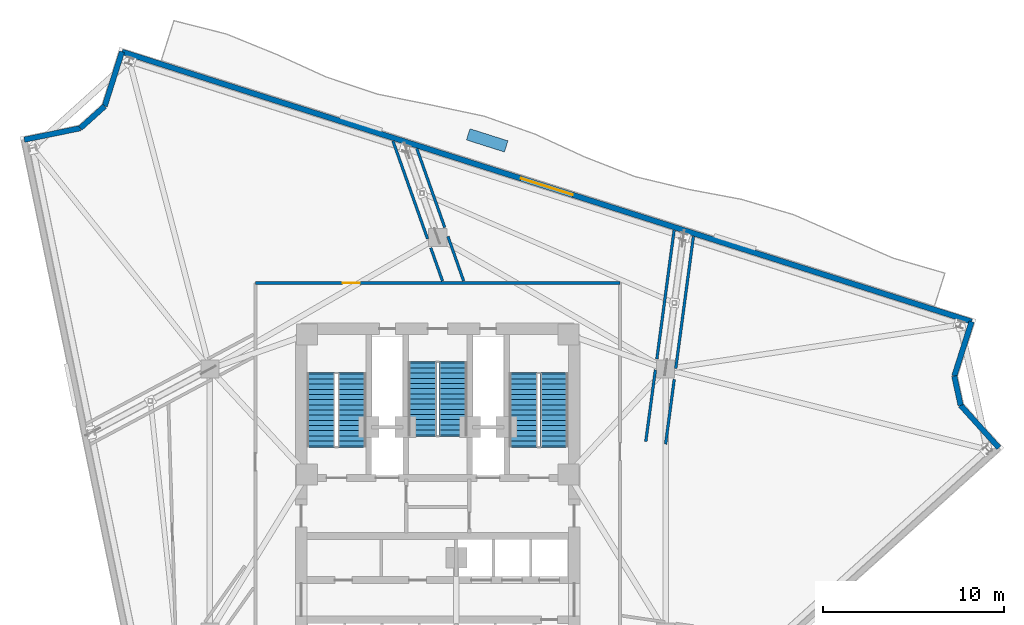
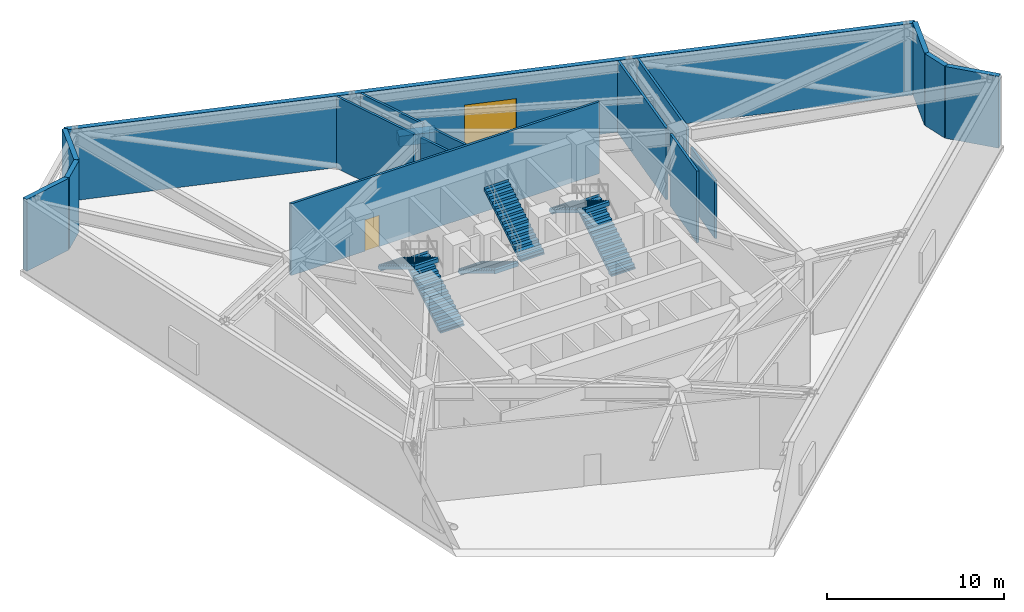
# One storey, part 13 of 16: 16 walls, 6 stair flights, 2 doors, 1 discrete accessory, 2 openings, 3 elements without a shape of their own.
"""IFC4 building model written with IfcOpenShell, lengths in metres."""

from ifc_helpers import new_model, si_unit, direction, frame, frame_2d, origin, origin_2d, place, context, subcontext, project, spatial, polyline, rectangle, outline, extrude, material, layer, layer_set, type_object, element, fill, aggregate, save


model = new_model("IFC4")

# Units and contexts
model_context = context("Model", 3, precision=1e-05, world=origin(), true_north=direction((0.0, 1.0)))
body_context = subcontext(model_context, "Body", "Model", "MODEL_VIEW")
ifc_project = project(units=[si_unit("LENGTHUNIT", "METRE"), si_unit("AREAUNIT", "SQUARE_METRE"), si_unit("VOLUMEUNIT", "CUBIC_METRE"), si_unit("PLANEANGLEUNIT", "RADIAN"), si_unit("MASSUNIT", "GRAM", prefix="KILO")], contexts=[model_context])

# Site, building, storey
site_placement = place(None, origin())
site = spatial("IfcSite", under=ifc_project, at=site_placement, CompositionType="ELEMENT")
building_placement = place(site_placement, origin())
building = spatial("IfcBuilding", under=site, at=building_placement, Name="Apsidion Concourse Tower", CompositionType="ELEMENT")
storey_placement = place(building_placement, frame((0.0, 0.0, 227.0)))
storey = spatial("IfcBuildingStorey", under=building, at=storey_placement, Name="L53", CompositionType="ELEMENT", Elevation=227.0)

# Wall, opening, door
ifc_material_1 = material(Name="Precast concrete C40/50", Category="concrete")
ifc_layer_1 = layer(ifc_material_1, 0.300048828125)
ifc_layer_set_1 = layer_set([ifc_layer_1], Name="Precast concrete C40/50")
wall_type_1 = type_object("IfcWallType", Name="WL-EXT-300", PredefinedType="STANDARD", material=ifc_layer_set_1)
wall_1_placement = place(storey_placement, frame((-17.4072265625, 24.74755859375, 0.0), z_axis=(0.0, 0.0, 1.0), x_axis=(0.953082756031, -0.302709861346, 0.0)))
wall_1 = element("IfcWall", 1, at=wall_1_placement, inside=storey, type_object=wall_type_1, Name="L53 Precast Stone Facade Wall 01", PredefinedType="STANDARD", context=body_context, shape_type="SweptSolid", body=[
    extrude(rectangle(XDim=49.14501953125, YDim=0.300048828125, at=frame_2d((24.572509765625, 0.0))), origin(), (0.0, 0.0, 1.0), 4.949951171875),
])
opening_1_placement = place(wall_1_placement, frame((23.072509765625, 0.0, 0.0)))
opening_1 = element("IfcOpeningElement", 2, at=opening_1_placement, cuts=wall_1, Name="Opening D-SG1", PredefinedType="OPENING", context=body_context, shape_type="SweptSolid", body=[
    extrude(rectangle(XDim=3.0, YDim=3.199951171875, at=frame_2d((1.5, 1.60009765625))), frame((0.0, 0.16015625, 0.0), z_axis=(0.0, -1.0, 0.0), x_axis=(1.0, 0.0, 0.0)), (0.0, 0.0, 1.0), 0.320068359375),
])
ifc_material_2 = material(Name="Brushed stainless steel 316", Category="steel")
door_type_1 = type_object("IfcDoorType", Name="DR-GATE-3032", OperationType="ROLLINGUP", PredefinedType="GATE", material=ifc_material_2)
door_1_placement = place(opening_1_placement, origin())
door_1 = element("IfcDoor", 3, at=door_1_placement, inside=storey, type_object=door_type_1, Name="L53 Plant Deck Access Gate 1", OperationType="ROLLINGUP", OverallHeight=3.199951171875, OverallWidth=3.0, PredefinedType="GATE", context=body_context, shape_type="SweptSolid", body=[
    extrude(rectangle(XDim=3.0, YDim=3.199951171875, at=frame_2d((1.5, 1.60009765625))), frame((0.0, 0.02490234375, 0.0), z_axis=(0.0, -1.0, 0.0), x_axis=(1.0, 0.0, 0.0)), (0.0, 0.0, 1.0), 0.050048828125),
])
fill(opening_1, door_1)

# Walls
wall_2_placement = place(storey_placement, frame((29.43212890625, 9.870849609375, 0.0), z_axis=(0.0, 0.0, 1.0), x_axis=(-0.30264059672, -0.953104752489, 0.0)))
element("IfcWall", 4, at=wall_2_placement, inside=storey, type_object=wall_type_1, Name="L53 Precast Stone Facade Wall 02", PredefinedType="STANDARD", context=body_context, shape_type="SweptSolid", body=[
    extrude(rectangle(XDim=3.150146484375, YDim=0.300048828125, at=frame_2d((1.5751953125, 0.0))), origin(), (0.0, 0.0, 1.0), 4.949951171875),
])
wall_3_placement = place(storey_placement, frame((28.478759765625, 6.868408203125, 0.0), z_axis=(0.0, 0.0, 1.0), x_axis=(0.211126358094, -0.977458777094, 0.0)))
element("IfcWall", 5, at=wall_3_placement, inside=storey, type_object=wall_type_1, Name="L53 Precast Stone Facade Wall 03", PredefinedType="STANDARD", context=body_context, shape_type="SweptSolid", body=[
    extrude(rectangle(XDim=1.64892578125, YDim=0.300048828125, at=frame_2d((0.824462890625, 0.0))), origin(), (0.0, 0.0, 1.0), 4.949951171875),
])
wall_4_placement = place(storey_placement, frame((28.826904296875, 5.256591796875, 0.0), z_axis=(0.0, 0.0, 1.0), x_axis=(0.669127439782, -0.743147676663, 0.0)))
element("IfcWall", 6, at=wall_4_placement, inside=storey, type_object=wall_type_1, Name="L53 Precast Stone Facade Wall 04", PredefinedType="STANDARD", context=body_context, shape_type="SweptSolid", body=[
    extrude(rectangle(XDim=3.14990234375, YDim=0.300048828125, at=frame_2d((1.574951171875, 0.0))), origin(), (0.0, 0.0, 1.0), 4.949951171875),
])
wall_5_placement = place(storey_placement, frame((-22.79248046875, 19.898681640625, 0.0), z_axis=(0.0, 0.0, 1.0), x_axis=(0.979502474011, 0.201432131016, 0.0)))
element("IfcWall", 7, at=wall_5_placement, inside=storey, type_object=wall_type_1, Name="L53 Precast Stone Facade Wall 10", PredefinedType="STANDARD", context=body_context, shape_type="SweptSolid", body=[
    extrude(rectangle(XDim=3.1513671875, YDim=0.300048828125, at=frame_2d((1.57568359375, 0.0))), origin(), (0.0, 0.0, 1.0), 4.949951171875),
])
wall_6_placement = place(storey_placement, frame((-19.705810546875, 20.533447265625, 0.0), z_axis=(0.0, 0.0, 1.0), x_axis=(0.743173371482, 0.669098901449, 0.0)))
element("IfcWall", 8, at=wall_6_placement, inside=storey, type_object=wall_type_1, Name="L53 Precast Stone Facade Wall 11", PredefinedType="STANDARD", context=body_context, shape_type="SweptSolid", body=[
    extrude(rectangle(XDim=1.809326171875, YDim=0.300048828125, at=frame_2d((0.90478515625, 0.0))), origin(), (0.0, 0.0, 1.0), 4.949951171875),
])
wall_7_placement = place(storey_placement, frame((-18.361083984375, 21.744140625, 0.0), z_axis=(0.0, 0.0, 1.0), x_axis=(0.302691963624, 0.953088440365, 0.0)))
element("IfcWall", 9, at=wall_7_placement, inside=storey, type_object=wall_type_1, Name="L53 Precast Stone Facade Wall 12", PredefinedType="STANDARD", context=body_context, shape_type="SweptSolid", body=[
    extrude(rectangle(XDim=3.1513671875, YDim=0.300048828125, at=frame_2d((1.57568359375, 0.0))), origin(), (0.0, 0.0, 1.0), 4.949951171875),
])

# Wall, opening, door
ifc_material_3 = material(Name="Gypsum plasterboard partition")
ifc_layer_2 = layer(ifc_material_3, 0.14990234375)
ifc_layer_set_2 = layer_set([ifc_layer_2], Name="Gypsum plasterboard partition")
wall_type_2 = type_object("IfcWallType", Name="WL-INT-PAR-150", PredefinedType="PARTITIONING", material=ifc_layer_set_2)
wall_8_placement = place(storey_placement, frame((-10.050048828125, 12.0, 0.0), z_axis=(0.0, 0.0, 1.0), x_axis=(1.0, 0.0, 0.0)))
wall_8 = element("IfcWall", 10, at=wall_8_placement, inside=storey, type_object=wall_type_2, Name="L53 Interior Partition WL-L53-CORR-01", PredefinedType="PARTITIONING", context=body_context, shape_type="SweptSolid", body=[
    extrude(rectangle(XDim=20.10009765625, YDim=0.14990234375, at=frame_2d((10.050048828125, 0.0))), origin(), (0.0, 0.0, 1.0), 4.949951171875),
])
opening_2_placement = place(wall_8_placement, frame((4.813232421875, 0.0, 0.0)))
opening_2 = element("IfcOpeningElement", 11, at=opening_2_placement, cuts=wall_8, Name="Opening D-01R", PredefinedType="OPENING", context=body_context, shape_type="SweptSolid", body=[
    extrude(rectangle(XDim=0.949951171875, YDim=2.14990234375, at=frame_2d((0.47509765625, 1.074951171875))), frame((0.0, 0.0849609375, 0.0), z_axis=(0.0, -1.0, 0.0), x_axis=(1.0, 0.0, 0.0)), (0.0, 0.0, 1.0), 0.169921875),
])
door_type_2 = type_object("IfcDoorType", Name="DR-INT-D01R", OperationType="SINGLE_SWING_RIGHT", PredefinedType="DOOR", material=ifc_material_2)
door_2_placement = place(opening_2_placement, origin())
door_2 = element("IfcDoor", 12, at=door_2_placement, inside=storey, type_object=door_type_2, Name="L53 Corridor Entry Door 04", OperationType="SINGLE_SWING_RIGHT", OverallHeight=2.14990234375, OverallWidth=0.949951171875, PredefinedType="DOOR", context=body_context, shape_type="SweptSolid", body=[
    extrude(rectangle(XDim=0.949951171875, YDim=2.14990234375, at=frame_2d((0.47509765625, 1.074951171875))), frame((0.0, 0.02490234375, 0.0), z_axis=(0.0, -1.0, 0.0), x_axis=(1.0, 0.0, 0.0)), (0.0, 0.0, 1.0), 0.050048828125),
])
fill(opening_2, door_2)

# Walls
wall_9_placement = place(storey_placement, frame((12.560302734375, 3.11328125, 0.0), z_axis=(0.0, 0.0, 1.0), x_axis=(0.13287272527, 0.991133108558, 0.0)))
element("IfcWall", 13, at=wall_9_placement, inside=storey, type_object=wall_type_2, Name="L53 Interior Partition WL-L53-OTW-03-1-1", PredefinedType="PARTITIONING", context=body_context, shape_type="SweptSolid", body=[
    extrude(rectangle(XDim=3.608642578125, YDim=0.14990234375, at=frame_2d((1.80419921875, 0.0))), origin(), (0.0, 0.0, 1.0), 3.998046875),
])
wall_10_placement = place(storey_placement, frame((13.1201171875, 7.287841796875, 0.0), z_axis=(0.0, 0.0, 1.0), x_axis=(0.132873376005, 0.991133021319, 0.0)))
element("IfcWall", 14, at=wall_10_placement, inside=storey, type_object=wall_type_2, Name="L53 Interior Partition WL-L53-OTW-03-1-2", PredefinedType="PARTITIONING", context=body_context, shape_type="SweptSolid", body=[
    extrude(rectangle(XDim=7.345947265625, YDim=0.14990234375, at=frame_2d((3.6728515625, 0.0))), origin(), (0.0, 0.0, 1.0), 4.949951171875),
])
wall_11_placement = place(storey_placement, frame((11.47021484375, 3.259521484375, 0.0), z_axis=(0.0, 0.0, 1.0), x_axis=(0.132853446999, 0.99113569284, 0.0)))
element("IfcWall", 15, at=wall_11_placement, inside=storey, type_object=wall_type_2, Name="L53 Interior Partition WL-L53-OTW-03-2-1", PredefinedType="PARTITIONING", context=body_context, shape_type="SweptSolid", body=[
    extrude(rectangle(XDim=3.98779296875, YDim=0.14990234375, at=frame_2d((1.993896484375, 0.0))), origin(), (0.0, 0.0, 1.0), 4.949951171875),
])
wall_12_placement = place(storey_placement, frame((12.080078125, 7.81005859375, 0.0), z_axis=(0.0, 0.0, 1.0), x_axis=(0.132909645013, 0.991128158344, 0.0)))
element("IfcWall", 16, at=wall_12_placement, inside=storey, type_object=wall_type_2, Name="L53 Interior Partition WL-L53-OTW-03-2-2", PredefinedType="PARTITIONING", context=body_context, shape_type="SweptSolid", body=[
    extrude(rectangle(XDim=7.16015625, YDim=0.14990234375, at=frame_2d((3.580078125, 0.0))), origin(), (0.0, 0.0, 1.0), 4.949951171875),
])
wall_13_placement = place(storey_placement, frame((1.430419921875, 12.10498046875, 0.0), z_axis=(0.0, 0.0, 1.0), x_axis=(-0.33337279258, 0.942795089703, 0.0)))
element("IfcWall", 17, at=wall_13_placement, inside=storey, type_object=wall_type_2, Name="L53 Interior Partition WL-L53-OTW-04-1-1", PredefinedType="PARTITIONING", context=body_context, shape_type="SweptSolid", body=[
    extrude(rectangle(XDim=2.61083984375, YDim=0.14990234375, at=frame_2d((1.305419921875, 0.0))), origin(), (0.0, 0.0, 1.0), 4.949951171875),
])
wall_14_placement = place(storey_placement, frame((0.385498046875, 15.06005859375, 0.0), z_axis=(0.0, 0.0, 1.0), x_axis=(-0.333453549453, 0.942766530143, 0.0)))
element("IfcWall", 18, at=wall_14_placement, inside=storey, type_object=wall_type_2, Name="L53 Interior Partition WL-L53-OTW-04-1-2", PredefinedType="PARTITIONING", context=body_context, shape_type="SweptSolid", body=[
    extrude(rectangle(XDim=4.6162109375, YDim=0.14990234375, at=frame_2d((2.30810546875, 0.0))), origin(), (0.0, 0.0, 1.0), 4.949951171875),
])
wall_15_placement = place(storey_placement, frame((0.263671875, 12.10498046875, 0.0), z_axis=(0.0, 0.0, 1.0), x_axis=(-0.333410569548, 0.942781730897, 0.0)))
element("IfcWall", 19, at=wall_15_placement, inside=storey, type_object=wall_type_2, Name="L53 Interior Partition WL-L53-OTW-04-2-1", PredefinedType="PARTITIONING", context=body_context, shape_type="SweptSolid", body=[
    extrude(rectangle(XDim=1.9462890625, YDim=0.14990234375, at=frame_2d((0.97314453125, 0.0))), origin(), (0.0, 0.0, 1.0), 4.949951171875),
])
wall_16_placement = place(storey_placement, frame((-0.56005859375, 14.43408203125, 0.0), z_axis=(0.0, 0.0, 1.0), x_axis=(-0.333464911783, 0.942762511245, 0.0)))
element("IfcWall", 20, at=wall_16_placement, inside=storey, type_object=wall_type_2, Name="L53 Interior Partition WL-L53-OTW-04-2-2", PredefinedType="PARTITIONING", context=body_context, shape_type="SweptSolid", body=[
    extrude(rectangle(XDim=5.72314453125, YDim=0.14990234375, at=frame_2d((2.861572265625, 0.0))), origin(), (0.0, 0.0, 1.0), 4.949951171875),
])

# Stair, stair flights
stair_type = type_object("IfcStairType", Name="ST-DL-1550", PredefinedType="HALF_TURN_STAIR", material=ifc_material_1)
stair_1_placement = place(storey_placement, origin())
stair_1 = element("IfcStair", 21, at=stair_1_placement, inside=storey, type_object=stair_type, Name="L53 Protected Core Exit Stair ST1", PredefinedType="HALF_TURN_STAIR")
stair_flight_type = type_object("IfcStairFlightType", Name="SFL-RC-1550", PredefinedType="STRAIGHT", material=ifc_material_1)
stair_flight_1_placement = place(storey_placement, frame((-4.72509765625, 3.0, 0.0), z_axis=(0.0, 0.0, 1.0), x_axis=(0.0, 1.0, 0.0)))
stair_flight_1 = element("IfcStairFlight", 22, at=stair_flight_1_placement, type_object=stair_flight_type, Name="ST1 flight 1", NumberOfRisers=15, NumberOfTreads=14, PredefinedType="STRAIGHT", RiserHeight=0.173333333, TreadLength=0.285, context=body_context, shape_type="SweptSolid", body=[
    extrude(outline(polyline([(-0.080078125, -0.1123046875), (-0.080078125, 0.0), (0.0, 0.0), (0.0, 0.17333984375), (0.284912109375, 0.17333984375), (0.284912109375, 0.3466796875), (0.570068359375, 0.3466796875), (0.570068359375, 0.52001953125), (0.85498046875, 0.52001953125), (0.85498046875, 0.693359375), (1.139892578125, 0.693359375), (1.139892578125, 0.86669921875), (1.425048828125, 0.86669921875), (1.425048828125, 1.0400390625), (1.7099609375, 1.0400390625), (1.7099609375, 1.21337890625), (1.9951171875, 1.21337890625), (1.9951171875, 1.38671875), (2.280029296875, 1.38671875), (2.280029296875, 1.56005859375), (2.56494140625, 1.56005859375), (2.56494140625, 1.7333984375), (2.85009765625, 1.7333984375), (2.85009765625, 1.90673828125), (3.135009765625, 1.90673828125), (3.135009765625, 2.080078125), (3.419921875, 2.080078125), (3.419921875, 2.25341796875), (3.705078125, 2.25341796875), (3.705078125, 2.4267578125), (3.989990234375, 2.4267578125), (3.989990234375, 2.60009765625), (4.070068359375, 2.513427734375), (4.070068359375, 2.251220703125), (3.989990234375, 2.251220703125), (0.28857421875, 0.0), (0.28857421875, -0.1123046875), (-0.080078125, -0.1123046875)])), frame((0.0, 0.77490234375, 0.0), z_axis=(0.0, -1.0, 0.0), x_axis=(1.0, 0.0, 0.0)), (0.0, 0.0, 1.0), 1.550048828125),
])
stair_flight_2_placement = place(storey_placement, frame((-6.425048828125, 6.989990234375, 2.60009765625), z_axis=(0.0, 0.0, 1.0), x_axis=(0.0, -1.0, 0.0)))
stair_flight_2 = element("IfcStairFlight", 23, at=stair_flight_2_placement, type_object=stair_flight_type, Name="ST1 flight 2", NumberOfRisers=15, NumberOfTreads=14, PredefinedType="STRAIGHT", RiserHeight=0.173333333, TreadLength=0.285, context=body_context, shape_type="SweptSolid", body=[
    extrude(outline(polyline([(-0.080078125, -0.1123046875), (-0.080078125, 0.0), (0.0, 0.0), (0.0, 0.17333984375), (0.284912109375, 0.17333984375), (0.284912109375, 0.3466796875), (0.570068359375, 0.3466796875), (0.570068359375, 0.52001953125), (0.85498046875, 0.52001953125), (0.85498046875, 0.693359375), (1.139892578125, 0.693359375), (1.139892578125, 0.86669921875), (1.425048828125, 0.86669921875), (1.425048828125, 1.0400390625), (1.7099609375, 1.0400390625), (1.7099609375, 1.21337890625), (1.9951171875, 1.21337890625), (1.9951171875, 1.38671875), (2.280029296875, 1.38671875), (2.280029296875, 1.56005859375), (2.56494140625, 1.56005859375), (2.56494140625, 1.7333984375), (2.85009765625, 1.7333984375), (2.85009765625, 1.90673828125), (3.135009765625, 1.90673828125), (3.135009765625, 2.080078125), (3.419921875, 2.080078125), (3.419921875, 2.25341796875), (3.705078125, 2.25341796875), (3.705078125, 2.4267578125), (3.989990234375, 2.4267578125), (3.989990234375, 2.60009765625), (4.070068359375, 2.513427734375), (4.070068359375, 2.251220703125), (3.989990234375, 2.251220703125), (0.28857421875, 0.0), (0.28857421875, -0.1123046875), (-0.080078125, -0.1123046875)])), frame((0.0, 0.77490234375, 0.0), z_axis=(0.0, -1.0, 0.0), x_axis=(1.0, 0.0, 0.0)), (0.0, 0.0, 1.0), 1.550048828125),
])
aggregate(stair_1, [stair_flight_1, stair_flight_2])

stair_2_placement = place(storey_placement, origin())
stair_2 = element("IfcStair", 24, at=stair_2_placement, inside=storey, type_object=stair_type, Name="L53 Protected Core Exit Stair ST2", PredefinedType="HALF_TURN_STAIR")
stair_flight_3_placement = place(storey_placement, frame((6.425048828125, 3.0, 0.0), z_axis=(0.0, 0.0, 1.0), x_axis=(0.0, 1.0, 0.0)))
stair_flight_3 = element("IfcStairFlight", 25, at=stair_flight_3_placement, type_object=stair_flight_type, Name="ST2 flight 1", NumberOfRisers=15, NumberOfTreads=14, PredefinedType="STRAIGHT", RiserHeight=0.173333333, TreadLength=0.285, context=body_context, shape_type="SweptSolid", body=[
    extrude(outline(polyline([(-0.080078125, -0.1123046875), (-0.080078125, 0.0), (0.0, 0.0), (0.0, 0.17333984375), (0.284912109375, 0.17333984375), (0.284912109375, 0.3466796875), (0.570068359375, 0.3466796875), (0.570068359375, 0.52001953125), (0.85498046875, 0.52001953125), (0.85498046875, 0.693359375), (1.139892578125, 0.693359375), (1.139892578125, 0.86669921875), (1.425048828125, 0.86669921875), (1.425048828125, 1.0400390625), (1.7099609375, 1.0400390625), (1.7099609375, 1.21337890625), (1.9951171875, 1.21337890625), (1.9951171875, 1.38671875), (2.280029296875, 1.38671875), (2.280029296875, 1.56005859375), (2.56494140625, 1.56005859375), (2.56494140625, 1.7333984375), (2.85009765625, 1.7333984375), (2.85009765625, 1.90673828125), (3.135009765625, 1.90673828125), (3.135009765625, 2.080078125), (3.419921875, 2.080078125), (3.419921875, 2.25341796875), (3.705078125, 2.25341796875), (3.705078125, 2.4267578125), (3.989990234375, 2.4267578125), (3.989990234375, 2.60009765625), (4.070068359375, 2.513427734375), (4.070068359375, 2.251220703125), (3.989990234375, 2.251220703125), (0.28857421875, 0.0), (0.28857421875, -0.1123046875), (-0.080078125, -0.1123046875)])), frame((0.0, 0.77490234375, 0.0), z_axis=(0.0, -1.0, 0.0), x_axis=(1.0, 0.0, 0.0)), (0.0, 0.0, 1.0), 1.550048828125),
])
stair_flight_4_placement = place(storey_placement, frame((4.72509765625, 6.989990234375, 2.60009765625), z_axis=(0.0, 0.0, 1.0), x_axis=(0.0, -1.0, 0.0)))
stair_flight_4 = element("IfcStairFlight", 26, at=stair_flight_4_placement, type_object=stair_flight_type, Name="ST2 flight 2", NumberOfRisers=15, NumberOfTreads=14, PredefinedType="STRAIGHT", RiserHeight=0.173333333, TreadLength=0.285, context=body_context, shape_type="SweptSolid", body=[
    extrude(outline(polyline([(-0.080078125, -0.1123046875), (-0.080078125, 0.0), (0.0, 0.0), (0.0, 0.17333984375), (0.284912109375, 0.17333984375), (0.284912109375, 0.3466796875), (0.570068359375, 0.3466796875), (0.570068359375, 0.52001953125), (0.85498046875, 0.52001953125), (0.85498046875, 0.693359375), (1.139892578125, 0.693359375), (1.139892578125, 0.86669921875), (1.425048828125, 0.86669921875), (1.425048828125, 1.0400390625), (1.7099609375, 1.0400390625), (1.7099609375, 1.21337890625), (1.9951171875, 1.21337890625), (1.9951171875, 1.38671875), (2.280029296875, 1.38671875), (2.280029296875, 1.56005859375), (2.56494140625, 1.56005859375), (2.56494140625, 1.7333984375), (2.85009765625, 1.7333984375), (2.85009765625, 1.90673828125), (3.135009765625, 1.90673828125), (3.135009765625, 2.080078125), (3.419921875, 2.080078125), (3.419921875, 2.25341796875), (3.705078125, 2.25341796875), (3.705078125, 2.4267578125), (3.989990234375, 2.4267578125), (3.989990234375, 2.60009765625), (4.070068359375, 2.513427734375), (4.070068359375, 2.251220703125), (3.989990234375, 2.251220703125), (0.28857421875, 0.0), (0.28857421875, -0.1123046875), (-0.080078125, -0.1123046875)])), frame((0.0, 0.77490234375, 0.0), z_axis=(0.0, -1.0, 0.0), x_axis=(1.0, 0.0, 0.0)), (0.0, 0.0, 1.0), 1.550048828125),
])
aggregate(stair_2, [stair_flight_3, stair_flight_4])

stair_3_placement = place(storey_placement, origin())
stair_3 = element("IfcStair", 27, at=stair_3_placement, inside=storey, type_object=stair_type, Name="L53 Protected Core Exit Stair ST3", PredefinedType="HALF_TURN_STAIR")
stair_flight_5_placement = place(storey_placement, frame((-0.85009765625, 7.60009765625, 0.0), z_axis=(0.0, 0.0, 1.0), x_axis=(0.0, -1.0, 0.0)))
stair_flight_5 = element("IfcStairFlight", 28, at=stair_flight_5_placement, type_object=stair_flight_type, Name="ST3 flight 1", NumberOfRisers=15, NumberOfTreads=14, PredefinedType="STRAIGHT", RiserHeight=0.173333333, TreadLength=0.285, context=body_context, shape_type="SweptSolid", body=[
    extrude(outline(polyline([(-0.080078125, -0.1123046875), (-0.080078125, 0.0), (0.0, 0.0), (0.0, 0.17333984375), (0.284912109375, 0.17333984375), (0.284912109375, 0.3466796875), (0.570068359375, 0.3466796875), (0.570068359375, 0.52001953125), (0.85498046875, 0.52001953125), (0.85498046875, 0.693359375), (1.139892578125, 0.693359375), (1.139892578125, 0.86669921875), (1.425048828125, 0.86669921875), (1.425048828125, 1.0400390625), (1.7099609375, 1.0400390625), (1.7099609375, 1.21337890625), (1.9951171875, 1.21337890625), (1.9951171875, 1.38671875), (2.280029296875, 1.38671875), (2.280029296875, 1.56005859375), (2.56494140625, 1.56005859375), (2.56494140625, 1.7333984375), (2.85009765625, 1.7333984375), (2.85009765625, 1.90673828125), (3.135009765625, 1.90673828125), (3.135009765625, 2.080078125), (3.419921875, 2.080078125), (3.419921875, 2.25341796875), (3.705078125, 2.25341796875), (3.705078125, 2.4267578125), (3.989990234375, 2.4267578125), (3.989990234375, 2.60009765625), (4.070068359375, 2.513427734375), (4.070068359375, 2.251220703125), (3.989990234375, 2.251220703125), (0.28857421875, 0.0), (0.28857421875, -0.1123046875), (-0.080078125, -0.1123046875)])), frame((0.0, 0.77490234375, 0.0), z_axis=(0.0, -1.0, 0.0), x_axis=(1.0, 0.0, 0.0)), (0.0, 0.0, 1.0), 1.550048828125),
])
stair_flight_6_placement = place(storey_placement, frame((0.85009765625, 3.610107421875, 2.60009765625), z_axis=(0.0, 0.0, 1.0), x_axis=(0.0, 1.0, 0.0)))
stair_flight_6 = element("IfcStairFlight", 29, at=stair_flight_6_placement, type_object=stair_flight_type, Name="ST3 flight 2", NumberOfRisers=15, NumberOfTreads=14, PredefinedType="STRAIGHT", RiserHeight=0.173333333, TreadLength=0.285, context=body_context, shape_type="SweptSolid", body=[
    extrude(outline(polyline([(-0.080078125, -0.1123046875), (-0.080078125, 0.0), (0.0, 0.0), (0.0, 0.17333984375), (0.284912109375, 0.17333984375), (0.284912109375, 0.3466796875), (0.570068359375, 0.3466796875), (0.570068359375, 0.52001953125), (0.85498046875, 0.52001953125), (0.85498046875, 0.693359375), (1.139892578125, 0.693359375), (1.139892578125, 0.86669921875), (1.425048828125, 0.86669921875), (1.425048828125, 1.0400390625), (1.7099609375, 1.0400390625), (1.7099609375, 1.21337890625), (1.9951171875, 1.21337890625), (1.9951171875, 1.38671875), (2.280029296875, 1.38671875), (2.280029296875, 1.56005859375), (2.56494140625, 1.56005859375), (2.56494140625, 1.7333984375), (2.85009765625, 1.7333984375), (2.85009765625, 1.90673828125), (3.135009765625, 1.90673828125), (3.135009765625, 2.080078125), (3.419921875, 2.080078125), (3.419921875, 2.25341796875), (3.705078125, 2.25341796875), (3.705078125, 2.4267578125), (3.989990234375, 2.4267578125), (3.989990234375, 2.60009765625), (4.070068359375, 2.513427734375), (4.070068359375, 2.251220703125), (3.989990234375, 2.251220703125), (0.28857421875, 0.0), (0.28857421875, -0.1123046875), (-0.080078125, -0.1123046875)])), frame((0.0, 0.77490234375, 0.0), z_axis=(0.0, -1.0, 0.0), x_axis=(1.0, 0.0, 0.0)), (0.0, 0.0, 1.0), 1.550048828125),
])
aggregate(stair_3, [stair_flight_5, stair_flight_6])

# Discrete accessory
discrete_accessory_type = type_object("IfcDiscreteAccessoryType", Name="ACC-PLANTER-90", PredefinedType="USERDEFINED", material=ifc_material_1)
discrete_accessory_placement = place(storey_placement, frame((2.726318359375, 19.860107421875, 0.0), z_axis=(0.0, 0.0, 1.0), x_axis=(-0.95308506272, 0.302702598633, 0.0)))
element("IfcDiscreteAccessory", 30, at=discrete_accessory_placement, inside=storey, type_object=discrete_accessory_type, Name="L53 Spiral Sky-Terrace Planter 3", ObjectType="PLANTER", PredefinedType="USERDEFINED", context=body_context, shape_type="SweptSolid", body=[
    extrude(rectangle(XDim=2.199951171875, YDim=0.64990234375, at=origin_2d()), origin(), (0.0, 0.0, 1.0), 0.699951171875),
])

save(model, "model.ifc")
